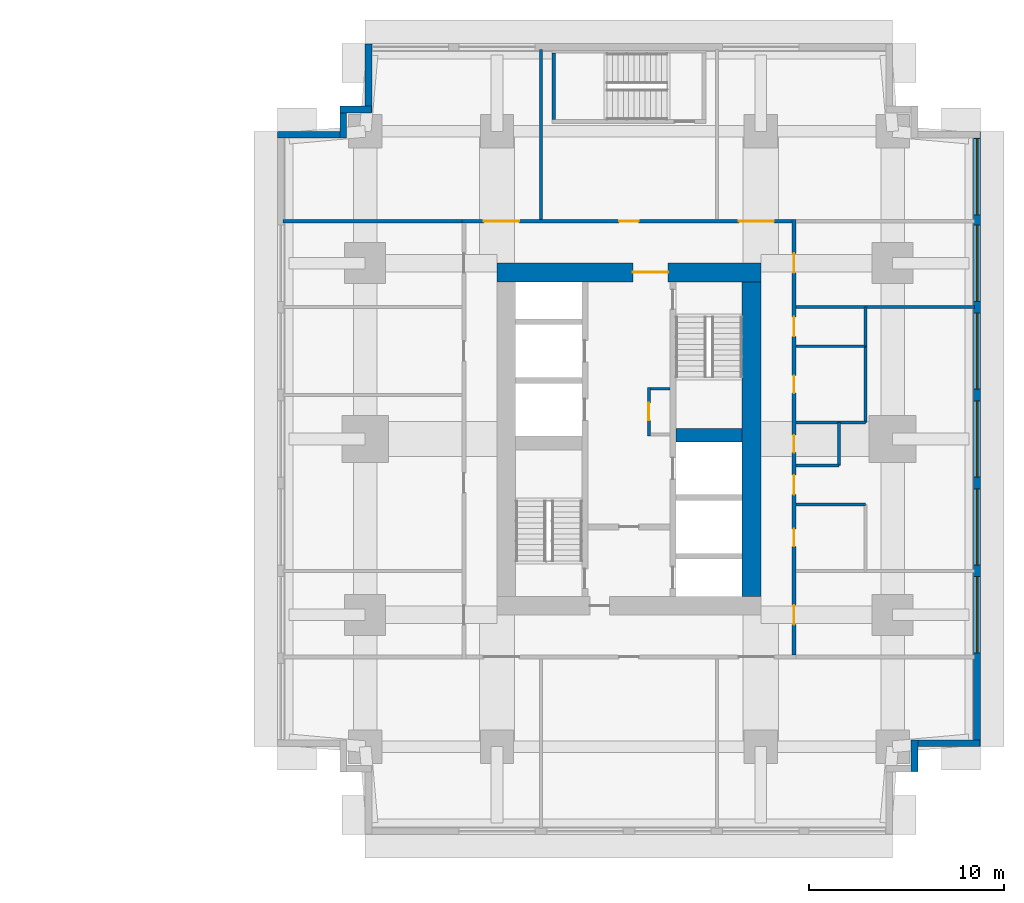
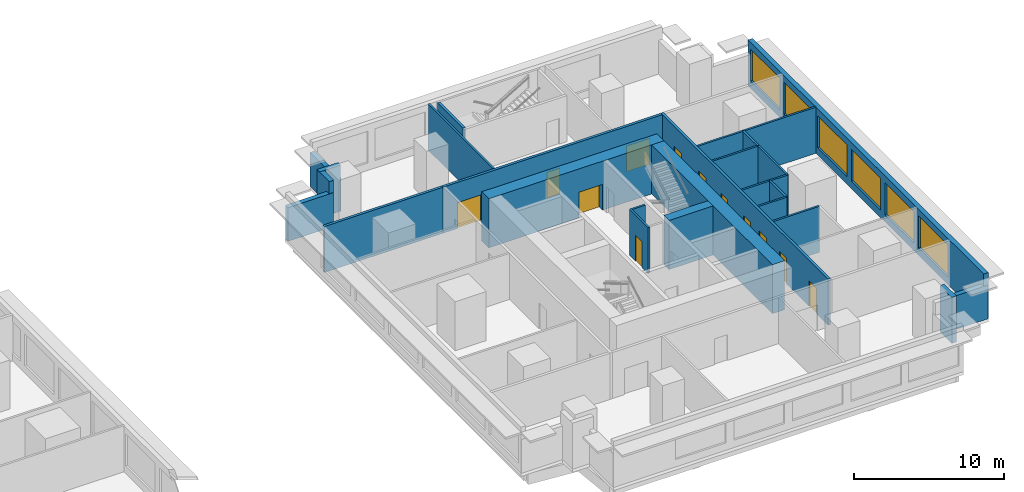
# One storey, part 7 of 11: 25 walls, 12 doors, 6 windows, 18 openings.
"""IFC4 building model written with IfcOpenShell, lengths in metres."""

from ifc_helpers import new_model, si_unit, direction, frame, frame_2d, origin, place, context, subcontext, project, spatial, rectangle, extrude, material, layer, layer_set, type_object, element, fill, save


model = new_model("IFC4")

# Units and contexts
model_context = context("Model", 3, precision=1e-05, world=origin(), true_north=direction((0.0, 1.0)))
body_context = subcontext(model_context, "Body", "Model", "MODEL_VIEW")
ifc_project = project(units=[si_unit("LENGTHUNIT", "METRE"), si_unit("AREAUNIT", "SQUARE_METRE"), si_unit("VOLUMEUNIT", "CUBIC_METRE"), si_unit("PLANEANGLEUNIT", "RADIAN"), si_unit("MASSUNIT", "GRAM", prefix="KILO")], contexts=[model_context])

# Site, building, storey
site_placement = place(None, origin())
site = spatial("IfcSite", under=ifc_project, at=site_placement, CompositionType="ELEMENT")
building_placement = place(site_placement, origin())
building = spatial("IfcBuilding", under=site, at=building_placement, Name="Namib Vertical Campus", CompositionType="ELEMENT")
storey_placement = place(building_placement, frame((0.0, 0.0, 73.0)))
storey = spatial("IfcBuildingStorey", under=building, at=storey_placement, Name="L17", CompositionType="ELEMENT", Elevation=73.0)

# Walls
ifc_material_1 = material(Name="Concrete C60/75", Category="concrete")
ifc_layer_1 = layer(ifc_material_1, 0.699951171875)
ifc_layer_set_1 = layer_set([ifc_layer_1], Name="Concrete C60/75")
wall_type_1 = type_object("IfcWallType", Name="Core shear wall 700", PredefinedType="SHEAR", material=ifc_layer_set_1)
wall_1_placement = place(storey_placement, frame((83.39990234375, 20.449951171875, 0.0), z_axis=(0.0, 0.0, 1.0), x_axis=(1.0, 0.0, 0.0)))
element("IfcWall", 1, at=wall_1_placement, inside=storey, type_object=wall_type_1, Name="Core shear wall B L17 W7", PredefinedType="SHEAR", context=body_context, shape_type="SweptSolid", body=[
    extrude(rectangle(XDim=3.400146484375, YDim=0.699951171875, at=frame_2d((1.7001953125, 0.0))), origin(), (0.0, 0.0, 1.0), 4.0),
])
ifc_material_2 = material(Name="Concrete C60/75", Category="concrete")
ifc_layer_2 = layer(ifc_material_2, 0.949951171875)
ifc_layer_set_2 = layer_set([ifc_layer_2], Name="Concrete C60/75")
wall_type_2 = type_object("IfcWallType", Name="Core wall 950", PredefinedType="SHEAR", material=ifc_layer_set_2)
wall_2_placement = place(storey_placement, frame((87.27490234375, 12.199951171875, 0.0), z_axis=(0.0, 0.0, 1.0), x_axis=(0.0, 1.0, 0.0)))
element("IfcWall", 2, at=wall_2_placement, inside=storey, type_object=wall_type_2, Name="Core wall B L17 2", PredefinedType="SHEAR", context=body_context, shape_type="SweptSolid", body=[
    extrude(rectangle(XDim=16.10009765625, YDim=0.949951171875, at=frame_2d((8.050048828125, 0.0))), origin(), (0.0, 0.0, 1.0), 4.0),
])

# Wall, opening, door
wall_3_placement = place(storey_placement, frame((87.75, 28.77490234375, 0.0), z_axis=(0.0, 0.0, 1.0), x_axis=(-1.0, 0.0, 0.0)))
wall_3 = element("IfcWall", 3, at=wall_3_placement, inside=storey, type_object=wall_type_2, Name="Core wall B L17 3", PredefinedType="SHEAR", context=body_context, shape_type="SweptSolid", body=[
    extrude(rectangle(XDim=13.5, YDim=0.949951171875, at=frame_2d((6.75, 0.0))), origin(), (0.0, 0.0, 1.0), 4.0),
])
opening_1_placement = place(wall_3_placement, frame((4.75, 0.0, 0.0)))
opening_1 = element("IfcOpeningElement", 4, at=opening_1_placement, cuts=wall_3, Name="Opening FD2", PredefinedType="OPENING", context=body_context, shape_type="SweptSolid", body=[
    extrude(rectangle(XDim=1.800048828125, YDim=2.10009765625, at=frame_2d((0.89990234375, 1.050048828125))), frame((0.0, 0.48486328125, 0.0), z_axis=(0.0, -1.0, 0.0), x_axis=(1.0, 0.0, 0.0)), (0.0, 0.0, 1.0), 0.969970703125),
])
ifc_material_3 = material(Name="Steel fire door", Category="steel")
door_type_1 = type_object("IfcDoorType", Name="Fire door double 1800x2100", OperationType="DOUBLE_DOOR_SINGLE_SWING", PredefinedType="DOOR", material=ifc_material_3)
door_1_placement = place(opening_1_placement, origin())
door_1 = element("IfcDoor", 5, at=door_1_placement, inside=storey, type_object=door_type_1, Name="Lift lobby door FD2 B L17", OperationType="DOUBLE_DOOR_SINGLE_SWING", OverallHeight=2.10009765625, OverallWidth=1.800048828125, PredefinedType="DOOR", context=body_context, shape_type="SweptSolid", body=[
    extrude(rectangle(XDim=1.800048828125, YDim=2.10009765625, at=frame_2d((0.89990234375, 1.050048828125))), frame((0.0, 0.02490234375, 0.0), z_axis=(0.0, -1.0, 0.0), x_axis=(1.0, 0.0, 0.0)), (0.0, 0.0, 1.0), 0.050048828125),
])
fill(opening_1, door_1)

# Wall, openings, doors
ifc_material_4 = material(Name="Concrete masonry", Category="masonry")
ifc_layer_3 = layer(ifc_material_4, 0.199951171875)
ifc_layer_set_3 = layer_set([ifc_layer_3], Name="Corridor wall 200")
wall_type_3 = type_object("IfcWallType", Name="Corridor wall 200", PredefinedType="SOLIDWALL", material=ifc_layer_set_3)
wall_4_placement = place(storey_placement, frame((89.449951171875, 9.199951171875, 0.0), z_axis=(0.0, 0.0, 1.0), x_axis=(0.0, 1.0, 0.0)))
wall_4 = element("IfcWall", 6, at=wall_4_placement, inside=storey, type_object=wall_type_3, Name="Corridor wall B L17 CE", PredefinedType="SOLIDWALL", context=body_context, shape_type="SweptSolid", body=[
    extrude(rectangle(XDim=22.300048828125, YDim=0.199951171875, at=frame_2d((11.14990234375, 0.0))), origin(), (0.0, 0.0, 1.0), 3.75),
])
opening_2_placement = place(wall_4_placement, frame((1.550048828125, 0.0, 0.0)))
opening_2 = element("IfcOpeningElement", 7, at=opening_2_placement, cuts=wall_4, Name="Opening CD1", PredefinedType="OPENING", context=body_context, shape_type="SweptSolid", body=[
    extrude(rectangle(XDim=1.0, YDim=2.10009765625, at=frame_2d((0.5, 1.050048828125))), frame((0.0, 0.10986328125, 0.0), z_axis=(0.0, -1.0, 0.0), x_axis=(1.0, 0.0, 0.0)), (0.0, 0.0, 1.0), 0.219970703125),
])
opening_3_placement = place(wall_4_placement, frame((5.550048828125, 0.0, 0.0)))
opening_3 = element("IfcOpeningElement", 8, at=opening_3_placement, cuts=wall_4, Name="Opening CD3", PredefinedType="OPENING", context=body_context, shape_type="SweptSolid", body=[
    extrude(rectangle(XDim=0.89990234375, YDim=2.10009765625, at=frame_2d((0.449951171875, 1.050048828125))), frame((0.0, 0.10986328125, 0.0), z_axis=(0.0, -1.0, 0.0), x_axis=(1.0, 0.0, 0.0)), (0.0, 0.0, 1.0), 0.219970703125),
])
opening_4_placement = place(wall_4_placement, frame((10.35009765625, 0.0, 0.0)))
opening_4 = element("IfcOpeningElement", 9, at=opening_4_placement, cuts=wall_4, Name="Opening CD3", PredefinedType="OPENING", context=body_context, shape_type="SweptSolid", body=[
    extrude(rectangle(XDim=0.89990234375, YDim=2.10009765625, at=frame_2d((0.449951171875, 1.050048828125))), frame((0.0, 0.10986328125, 0.0), z_axis=(0.0, -1.0, 0.0), x_axis=(1.0, 0.0, 0.0)), (0.0, 0.0, 1.0), 0.219970703125),
])
opening_5_placement = place(wall_4_placement, frame((13.39990234375, 0.0, 0.0)))
opening_5 = element("IfcOpeningElement", 10, at=opening_5_placement, cuts=wall_4, Name="Opening CD3", PredefinedType="OPENING", context=body_context, shape_type="SweptSolid", body=[
    extrude(rectangle(XDim=0.89990234375, YDim=2.10009765625, at=frame_2d((0.449951171875, 1.050048828125))), frame((0.0, 0.10986328125, 0.0), z_axis=(0.0, -1.0, 0.0), x_axis=(1.0, 0.0, 0.0)), (0.0, 0.0, 1.0), 0.219970703125),
])
opening_6_placement = place(wall_4_placement, frame((16.300048828125, 0.0, 0.0)))
opening_6 = element("IfcOpeningElement", 11, at=opening_6_placement, cuts=wall_4, Name="Opening CD1", PredefinedType="OPENING", context=body_context, shape_type="SweptSolid", body=[
    extrude(rectangle(XDim=1.0, YDim=2.10009765625, at=frame_2d((0.5, 1.050048828125))), frame((0.0, 0.10986328125, 0.0), z_axis=(0.0, -1.0, 0.0), x_axis=(1.0, 0.0, 0.0)), (0.0, 0.0, 1.0), 0.219970703125),
])
opening_7_placement = place(wall_4_placement, frame((8.199951171875, 0.0, 0.0)))
opening_7 = element("IfcOpeningElement", 12, at=opening_7_placement, cuts=wall_4, Name="Opening CD1", PredefinedType="OPENING", context=body_context, shape_type="SweptSolid", body=[
    extrude(rectangle(XDim=1.0, YDim=2.10009765625, at=frame_2d((0.5, 1.050048828125))), frame((0.0, 0.10986328125, 0.0), z_axis=(0.0, -1.0, 0.0), x_axis=(1.0, 0.0, 0.0)), (0.0, 0.0, 1.0), 0.219970703125),
])
opening_8_placement = place(wall_4_placement, frame((19.550048828125, 0.0, 0.0)))
opening_8 = element("IfcOpeningElement", 13, at=opening_8_placement, cuts=wall_4, Name="Opening CD1", PredefinedType="OPENING", context=body_context, shape_type="SweptSolid", body=[
    extrude(rectangle(XDim=1.0, YDim=2.10009765625, at=frame_2d((0.5, 1.050048828125))), frame((0.0, 0.10986328125, 0.0), z_axis=(0.0, -1.0, 0.0), x_axis=(1.0, 0.0, 0.0)), (0.0, 0.0, 1.0), 0.219970703125),
])
ifc_material_5 = material(Name="Timber fire door leaf", Category="wood")
door_type_2 = type_object("IfcDoorType", Name="Corridor door 1000x2100 20 min", OperationType="SINGLE_SWING_LEFT", PredefinedType="DOOR", material=ifc_material_5)
door_2_placement = place(opening_2_placement, frame((1.0, 0.0, 0.0), z_axis=(0.0, 0.0, 1.0), x_axis=(-1.0, 0.0, 0.0)))
door_2 = element("IfcDoor", 14, at=door_2_placement, inside=storey, type_object=door_type_2, Name="Door CD1 B17-04", OperationType="SINGLE_SWING_RIGHT", OverallHeight=2.10009765625, OverallWidth=1.0, PredefinedType="DOOR", context=body_context, shape_type="SweptSolid", body=[
    extrude(rectangle(XDim=1.0, YDim=2.10009765625, at=frame_2d((0.5, 1.050048828125))), frame((0.0, 0.02490234375, 0.0), z_axis=(0.0, -1.0, 0.0), x_axis=(1.0, 0.0, 0.0)), (0.0, 0.0, 1.0), 0.050048828125),
])
fill(opening_2, door_2)
door_3_placement = place(opening_6_placement, frame((1.0, 0.0, 0.0), z_axis=(0.0, 0.0, 1.0), x_axis=(-1.0, 0.0, 0.0)))
door_3 = element("IfcDoor", 15, at=door_3_placement, inside=storey, type_object=door_type_2, Name="Door CD1 B17-08", OperationType="SINGLE_SWING_RIGHT", OverallHeight=2.10009765625, OverallWidth=1.0, PredefinedType="DOOR", context=body_context, shape_type="SweptSolid", body=[
    extrude(rectangle(XDim=1.0, YDim=2.10009765625, at=frame_2d((0.5, 1.050048828125))), frame((0.0, 0.02490234375, 0.0), z_axis=(0.0, -1.0, 0.0), x_axis=(1.0, 0.0, 0.0)), (0.0, 0.0, 1.0), 0.050048828125),
])
fill(opening_6, door_3)
door_4_placement = place(opening_7_placement, frame((1.0, 0.0, 0.0), z_axis=(0.0, 0.0, 1.0), x_axis=(-1.0, 0.0, 0.0)))
door_4 = element("IfcDoor", 16, at=door_4_placement, inside=storey, type_object=door_type_2, Name="Door CD1 B17-09", OperationType="SINGLE_SWING_RIGHT", OverallHeight=2.10009765625, OverallWidth=1.0, PredefinedType="DOOR", context=body_context, shape_type="SweptSolid", body=[
    extrude(rectangle(XDim=1.0, YDim=2.10009765625, at=frame_2d((0.5, 1.050048828125))), frame((0.0, 0.02490234375, 0.0), z_axis=(0.0, -1.0, 0.0), x_axis=(1.0, 0.0, 0.0)), (0.0, 0.0, 1.0), 0.050048828125),
])
fill(opening_7, door_4)
door_5_placement = place(opening_8_placement, frame((1.0, 0.0, 0.0), z_axis=(0.0, 0.0, 1.0), x_axis=(-1.0, 0.0, 0.0)))
door_5 = element("IfcDoor", 17, at=door_5_placement, inside=storey, type_object=door_type_2, Name="Door CD1 B17-10", OperationType="SINGLE_SWING_RIGHT", OverallHeight=2.10009765625, OverallWidth=1.0, PredefinedType="DOOR", context=body_context, shape_type="SweptSolid", body=[
    extrude(rectangle(XDim=1.0, YDim=2.10009765625, at=frame_2d((0.5, 1.050048828125))), frame((0.0, 0.02490234375, 0.0), z_axis=(0.0, -1.0, 0.0), x_axis=(1.0, 0.0, 0.0)), (0.0, 0.0, 1.0), 0.050048828125),
])
fill(opening_8, door_5)
ifc_material_6 = material(Name="Timber fire door leaf", Category="wood")
door_type_3 = type_object("IfcDoorType", Name="Corridor toilet door 900x2100 20 min", OperationType="SINGLE_SWING_LEFT", PredefinedType="DOOR", material=ifc_material_6)
door_6_placement = place(opening_3_placement, frame((0.89990234375, 0.0, 0.0), z_axis=(0.0, 0.0, 1.0), x_axis=(-1.0, 0.0, 0.0)))
door_6 = element("IfcDoor", 18, at=door_6_placement, inside=storey, type_object=door_type_3, Name="Door CD3 B17-05", OperationType="SINGLE_SWING_RIGHT", OverallHeight=2.10009765625, OverallWidth=0.89990234375, PredefinedType="DOOR", context=body_context, shape_type="SweptSolid", body=[
    extrude(rectangle(XDim=0.89990234375, YDim=2.10009765625, at=frame_2d((0.449951171875, 1.050048828125))), frame((0.0, 0.02490234375, 0.0), z_axis=(0.0, -1.0, 0.0), x_axis=(1.0, 0.0, 0.0)), (0.0, 0.0, 1.0), 0.050048828125),
])
fill(opening_3, door_6)
door_7_placement = place(opening_4_placement, frame((0.89990234375, 0.0, 0.0), z_axis=(0.0, 0.0, 1.0), x_axis=(-1.0, 0.0, 0.0)))
door_7 = element("IfcDoor", 19, at=door_7_placement, inside=storey, type_object=door_type_3, Name="Door CD3 B17-06", OperationType="SINGLE_SWING_RIGHT", OverallHeight=2.10009765625, OverallWidth=0.89990234375, PredefinedType="DOOR", context=body_context, shape_type="SweptSolid", body=[
    extrude(rectangle(XDim=0.89990234375, YDim=2.10009765625, at=frame_2d((0.449951171875, 1.050048828125))), frame((0.0, 0.02490234375, 0.0), z_axis=(0.0, -1.0, 0.0), x_axis=(1.0, 0.0, 0.0)), (0.0, 0.0, 1.0), 0.050048828125),
])
fill(opening_4, door_7)
door_8_placement = place(opening_5_placement, frame((0.89990234375, 0.0, 0.0), z_axis=(0.0, 0.0, 1.0), x_axis=(-1.0, 0.0, 0.0)))
door_8 = element("IfcDoor", 20, at=door_8_placement, inside=storey, type_object=door_type_3, Name="Door CD3 B17-07", OperationType="SINGLE_SWING_RIGHT", OverallHeight=2.10009765625, OverallWidth=0.89990234375, PredefinedType="DOOR", context=body_context, shape_type="SweptSolid", body=[
    extrude(rectangle(XDim=0.89990234375, YDim=2.10009765625, at=frame_2d((0.449951171875, 1.050048828125))), frame((0.0, 0.02490234375, 0.0), z_axis=(0.0, -1.0, 0.0), x_axis=(1.0, 0.0, 0.0)), (0.0, 0.0, 1.0), 0.050048828125),
])
fill(opening_5, door_8)

wall_5_placement = place(storey_placement, frame((89.35009765625, 31.39990234375, 0.0), z_axis=(0.0, 0.0, 1.0), x_axis=(-1.0, 0.0, 0.0)))
wall_5 = element("IfcWall", 21, at=wall_5_placement, inside=storey, type_object=wall_type_3, Name="Corridor wall B L17 CN", PredefinedType="SOLIDWALL", context=body_context, shape_type="SweptSolid", body=[
    extrude(rectangle(XDim=16.900146484375, YDim=0.199951171875, at=frame_2d((8.4501953125, 0.0))), origin(), (0.0, 0.0, 1.0), 3.75),
])
opening_9_placement = place(wall_5_placement, frame((13.97509765625, 0.0, 0.0)))
opening_9 = element("IfcOpeningElement", 22, at=opening_9_placement, cuts=wall_5, Name="Opening CD2", PredefinedType="OPENING", context=body_context, shape_type="SweptSolid", body=[
    extrude(rectangle(XDim=1.800048828125, YDim=2.10009765625, at=frame_2d((0.89990234375, 1.050048828125))), frame((0.0, 0.10986328125, 0.0), z_axis=(0.0, -1.0, 0.0), x_axis=(1.0, 0.0, 0.0)), (0.0, 0.0, 1.0), 0.219970703125),
])
opening_10_placement = place(wall_5_placement, frame((7.85009765625, 0.0, 0.0)))
opening_10 = element("IfcOpeningElement", 23, at=opening_10_placement, cuts=wall_5, Name="Opening CD1", PredefinedType="OPENING", context=body_context, shape_type="SweptSolid", body=[
    extrude(rectangle(XDim=1.0, YDim=2.10009765625, at=frame_2d((0.5, 1.050048828125))), frame((0.0, 0.10986328125, 0.0), z_axis=(0.0, -1.0, 0.0), x_axis=(1.0, 0.0, 0.0)), (0.0, 0.0, 1.0), 0.219970703125),
])
opening_11_placement = place(wall_5_placement, frame((0.925048828125, 0.0, 0.0)))
opening_11 = element("IfcOpeningElement", 24, at=opening_11_placement, cuts=wall_5, Name="Opening CD2", PredefinedType="OPENING", context=body_context, shape_type="SweptSolid", body=[
    extrude(rectangle(XDim=1.800048828125, YDim=2.10009765625, at=frame_2d((0.89990234375, 1.050048828125))), frame((0.0, 0.10986328125, 0.0), z_axis=(0.0, -1.0, 0.0), x_axis=(1.0, 0.0, 0.0)), (0.0, 0.0, 1.0), 0.219970703125),
])
door_9_placement = place(opening_10_placement, frame((1.0, 0.0, 0.0), z_axis=(0.0, 0.0, 1.0), x_axis=(-1.0, 0.0, 0.0)))
door_9 = element("IfcDoor", 25, at=door_9_placement, inside=storey, type_object=door_type_2, Name="Door CD1 B17-12", OperationType="SINGLE_SWING_RIGHT", OverallHeight=2.10009765625, OverallWidth=1.0, PredefinedType="DOOR", context=body_context, shape_type="SweptSolid", body=[
    extrude(rectangle(XDim=1.0, YDim=2.10009765625, at=frame_2d((0.5, 1.050048828125))), frame((0.0, 0.02490234375, 0.0), z_axis=(0.0, -1.0, 0.0), x_axis=(1.0, 0.0, 0.0)), (0.0, 0.0, 1.0), 0.050048828125),
])
fill(opening_10, door_9)
ifc_material_7 = material(Name="Timber fire door leaf", Category="wood")
door_type_4 = type_object("IfcDoorType", Name="Corridor door double 1800x2100 20 min", OperationType="DOUBLE_DOOR_SINGLE_SWING", PredefinedType="DOOR", material=ifc_material_7)
door_10_placement = place(opening_9_placement, frame((1.800048828125, 0.0, 0.0), z_axis=(0.0, 0.0, 1.0), x_axis=(-1.0, 0.0, 0.0)))
door_10 = element("IfcDoor", 26, at=door_10_placement, inside=storey, type_object=door_type_4, Name="Door CD2 B17-11", OperationType="DOUBLE_DOOR_SINGLE_SWING", OverallHeight=2.10009765625, OverallWidth=1.800048828125, PredefinedType="DOOR", context=body_context, shape_type="SweptSolid", body=[
    extrude(rectangle(XDim=1.800048828125, YDim=2.10009765625, at=frame_2d((0.89990234375, 1.050048828125))), frame((0.0, 0.02490234375, 0.0), z_axis=(0.0, -1.0, 0.0), x_axis=(1.0, 0.0, 0.0)), (0.0, 0.0, 1.0), 0.050048828125),
])
fill(opening_9, door_10)
door_11_placement = place(opening_11_placement, frame((1.800048828125, 0.0, 0.0), z_axis=(0.0, 0.0, 1.0), x_axis=(-1.0, 0.0, 0.0)))
door_11 = element("IfcDoor", 27, at=door_11_placement, inside=storey, type_object=door_type_4, Name="Door CD2 B17-13", OperationType="DOUBLE_DOOR_SINGLE_SWING", OverallHeight=2.10009765625, OverallWidth=1.800048828125, PredefinedType="DOOR", context=body_context, shape_type="SweptSolid", body=[
    extrude(rectangle(XDim=1.800048828125, YDim=2.10009765625, at=frame_2d((0.89990234375, 1.050048828125))), frame((0.0, 0.02490234375, 0.0), z_axis=(0.0, -1.0, 0.0), x_axis=(1.0, 0.0, 0.0)), (0.0, 0.0, 1.0), 0.050048828125),
])
fill(opening_11, door_11)

# Walls
wall_6_placement = place(storey_placement, frame((63.300048828125, 31.39990234375, 0.0), z_axis=(0.0, 0.0, 1.0), x_axis=(1.0, 0.0, 0.0)))
element("IfcWall", 28, at=wall_6_placement, inside=storey, type_object=wall_type_3, Name="Partition B L17 BNW", PredefinedType="SOLIDWALL", context=body_context, shape_type="SweptSolid", body=[
    extrude(rectangle(XDim=9.14990234375, YDim=0.199951171875, at=frame_2d((4.574951171875, 0.0))), origin(), (0.0, 0.0, 1.0), 3.75),
])
ifc_material_8 = material(Name="Concrete C40/50", Category="concrete")
ifc_layer_4 = layer(ifc_material_8, 0.35009765625)
ifc_layer_set_4 = layer_set([ifc_layer_4], Name="Concrete C40/50")
wall_type_4 = type_object("IfcWallType", Name="External wall 350 bush-hammered concrete", PredefinedType="STANDARD", material=ifc_layer_set_4)
wall_7_placement = place(storey_placement, frame((95.625, 3.219970703125, 0.0), z_axis=(0.0, 0.0, 1.0), x_axis=(0.0, 1.0, 0.0)))
element("IfcWall", 29, at=wall_7_placement, inside=storey, type_object=wall_type_4, Name="External wall L17 F04", PredefinedType="STANDARD", context=body_context, shape_type="SweptSolid", body=[
    extrude(rectangle(XDim=1.610107421875, YDim=0.35009765625, at=frame_2d((0.80517578125, 0.0))), origin(), (0.0, 0.0, 1.0), 3.75),
])
wall_8_placement = place(storey_placement, frame((95.469970703125, 4.675048828125, 0.0), z_axis=(0.0, 0.0, 1.0), x_axis=(1.0, 0.0, 0.0)))
element("IfcWall", 30, at=wall_8_placement, inside=storey, type_object=wall_type_4, Name="External wall L17 F05", PredefinedType="STANDARD", context=body_context, shape_type="SweptSolid", body=[
    extrude(rectangle(XDim=3.510009765625, YDim=0.35009765625, at=frame_2d((1.7548828125, 0.0))), origin(), (0.0, 0.0, 1.0), 2.75),
])

# Wall, openings, windows
wall_9_placement = place(storey_placement, frame((98.824951171875, 4.52001953125, 0.0), z_axis=(0.0, 0.0, 1.0), x_axis=(0.0, 1.0, 0.0)))
wall_9 = element("IfcWall", 31, at=wall_9_placement, inside=storey, type_object=wall_type_4, Name="External wall L17 F06", PredefinedType="STANDARD", context=body_context, shape_type="SweptSolid", body=[
    extrude(rectangle(XDim=31.4599609375, YDim=0.35009765625, at=frame_2d((15.72998046875, 0.0))), origin(), (0.0, 0.0, 1.0), 3.75),
])
opening_12_placement = place(wall_9_placement, frame((4.780029296875, 0.0, 0.60009765625)))
opening_12 = element("IfcOpeningElement", 32, at=opening_12_placement, cuts=wall_9, Name="Opening W2", PredefinedType="OPENING", context=body_context, shape_type="SweptSolid", body=[
    extrude(rectangle(XDim=3.89990234375, YDim=2.60009765625, at=frame_2d((1.949951171875, 1.300048828125))), frame((0.0, 0.18505859375, 0.0), z_axis=(0.0, -1.0, 0.0), x_axis=(1.0, 0.0, 0.0)), (0.0, 0.0, 1.0), 0.3701171875),
])
opening_13_placement = place(wall_9_placement, frame((9.280029296875, 0.0, 0.60009765625)))
opening_13 = element("IfcOpeningElement", 33, at=opening_13_placement, cuts=wall_9, Name="Opening W2", PredefinedType="OPENING", context=body_context, shape_type="SweptSolid", body=[
    extrude(rectangle(XDim=3.89990234375, YDim=2.60009765625, at=frame_2d((1.949951171875, 1.300048828125))), frame((0.0, 0.18505859375, 0.0), z_axis=(0.0, -1.0, 0.0), x_axis=(1.0, 0.0, 0.0)), (0.0, 0.0, 1.0), 0.3701171875),
])
opening_14_placement = place(wall_9_placement, frame((13.780029296875, 0.0, 0.60009765625)))
opening_14 = element("IfcOpeningElement", 34, at=opening_14_placement, cuts=wall_9, Name="Opening W2", PredefinedType="OPENING", context=body_context, shape_type="SweptSolid", body=[
    extrude(rectangle(XDim=3.89990234375, YDim=2.60009765625, at=frame_2d((1.949951171875, 1.300048828125))), frame((0.0, 0.18505859375, 0.0), z_axis=(0.0, -1.0, 0.0), x_axis=(1.0, 0.0, 0.0)), (0.0, 0.0, 1.0), 0.3701171875),
])
opening_15_placement = place(wall_9_placement, frame((18.280029296875, 0.0, 0.60009765625)))
opening_15 = element("IfcOpeningElement", 35, at=opening_15_placement, cuts=wall_9, Name="Opening W2", PredefinedType="OPENING", context=body_context, shape_type="SweptSolid", body=[
    extrude(rectangle(XDim=3.89990234375, YDim=2.60009765625, at=frame_2d((1.949951171875, 1.300048828125))), frame((0.0, 0.18505859375, 0.0), z_axis=(0.0, -1.0, 0.0), x_axis=(1.0, 0.0, 0.0)), (0.0, 0.0, 1.0), 0.3701171875),
])
opening_16_placement = place(wall_9_placement, frame((22.780029296875, 0.0, 0.60009765625)))
opening_16 = element("IfcOpeningElement", 36, at=opening_16_placement, cuts=wall_9, Name="Opening W2", PredefinedType="OPENING", context=body_context, shape_type="SweptSolid", body=[
    extrude(rectangle(XDim=3.89990234375, YDim=2.60009765625, at=frame_2d((1.949951171875, 1.300048828125))), frame((0.0, 0.18505859375, 0.0), z_axis=(0.0, -1.0, 0.0), x_axis=(1.0, 0.0, 0.0)), (0.0, 0.0, 1.0), 0.3701171875),
])
opening_17_placement = place(wall_9_placement, frame((27.2099609375, 0.0, 0.60009765625)))
opening_17 = element("IfcOpeningElement", 37, at=opening_17_placement, cuts=wall_9, Name="Opening W2", PredefinedType="OPENING", context=body_context, shape_type="SweptSolid", body=[
    extrude(rectangle(XDim=3.89990234375, YDim=2.60009765625, at=frame_2d((1.949951171875, 1.300048828125))), frame((0.0, 0.18505859375, 0.0), z_axis=(0.0, -1.0, 0.0), x_axis=(1.0, 0.0, 0.0)), (0.0, 0.0, 1.0), 0.3701171875),
])
ifc_material_9 = material(Name="Dark tinted glass in black aluminium frame", Category="aluminium")
window_type = type_object("IfcWindowType", Name="Ribbon window 3900x2600", PartitioningType="SINGLE_PANEL", PredefinedType="WINDOW", material=ifc_material_9)
window_1_placement = place(opening_12_placement, origin())
window_1 = element("IfcWindow", 38, at=window_1_placement, inside=storey, type_object=window_type, Name="Window W2 L17 F06-2", OverallHeight=2.60009765625, OverallWidth=3.89990234375, PartitioningType="SINGLE_PANEL", PredefinedType="WINDOW", context=body_context, shape_type="SweptSolid", body=[
    extrude(rectangle(XDim=3.89990234375, YDim=2.60009765625, at=frame_2d((1.949951171875, 1.300048828125))), frame((0.0, 0.030029296875, 0.0), z_axis=(0.0, -1.0, 0.0), x_axis=(1.0, 0.0, 0.0)), (0.0, 0.0, 1.0), 0.06005859375),
])
fill(opening_12, window_1)
window_2_placement = place(opening_13_placement, origin())
window_2 = element("IfcWindow", 39, at=window_2_placement, inside=storey, type_object=window_type, Name="Window W2 L17 F06-3", OverallHeight=2.60009765625, OverallWidth=3.89990234375, PartitioningType="SINGLE_PANEL", PredefinedType="WINDOW", context=body_context, shape_type="SweptSolid", body=[
    extrude(rectangle(XDim=3.89990234375, YDim=2.60009765625, at=frame_2d((1.949951171875, 1.300048828125))), frame((0.0, 0.030029296875, 0.0), z_axis=(0.0, -1.0, 0.0), x_axis=(1.0, 0.0, 0.0)), (0.0, 0.0, 1.0), 0.06005859375),
])
fill(opening_13, window_2)
window_3_placement = place(opening_14_placement, origin())
window_3 = element("IfcWindow", 40, at=window_3_placement, inside=storey, type_object=window_type, Name="Window W2 L17 F06-4", OverallHeight=2.60009765625, OverallWidth=3.89990234375, PartitioningType="SINGLE_PANEL", PredefinedType="WINDOW", context=body_context, shape_type="SweptSolid", body=[
    extrude(rectangle(XDim=3.89990234375, YDim=2.60009765625, at=frame_2d((1.949951171875, 1.300048828125))), frame((0.0, 0.030029296875, 0.0), z_axis=(0.0, -1.0, 0.0), x_axis=(1.0, 0.0, 0.0)), (0.0, 0.0, 1.0), 0.06005859375),
])
fill(opening_14, window_3)
window_4_placement = place(opening_15_placement, origin())
window_4 = element("IfcWindow", 41, at=window_4_placement, inside=storey, type_object=window_type, Name="Window W2 L17 F06-5", OverallHeight=2.60009765625, OverallWidth=3.89990234375, PartitioningType="SINGLE_PANEL", PredefinedType="WINDOW", context=body_context, shape_type="SweptSolid", body=[
    extrude(rectangle(XDim=3.89990234375, YDim=2.60009765625, at=frame_2d((1.949951171875, 1.300048828125))), frame((0.0, 0.030029296875, 0.0), z_axis=(0.0, -1.0, 0.0), x_axis=(1.0, 0.0, 0.0)), (0.0, 0.0, 1.0), 0.06005859375),
])
fill(opening_15, window_4)
window_5_placement = place(opening_16_placement, origin())
window_5 = element("IfcWindow", 42, at=window_5_placement, inside=storey, type_object=window_type, Name="Window W2 L17 F06-6", OverallHeight=2.60009765625, OverallWidth=3.89990234375, PartitioningType="SINGLE_PANEL", PredefinedType="WINDOW", context=body_context, shape_type="SweptSolid", body=[
    extrude(rectangle(XDim=3.89990234375, YDim=2.60009765625, at=frame_2d((1.949951171875, 1.300048828125))), frame((0.0, 0.030029296875, 0.0), z_axis=(0.0, -1.0, 0.0), x_axis=(1.0, 0.0, 0.0)), (0.0, 0.0, 1.0), 0.06005859375),
])
fill(opening_16, window_5)
window_6_placement = place(opening_17_placement, origin())
window_6 = element("IfcWindow", 43, at=window_6_placement, inside=storey, type_object=window_type, Name="Window W2 L17 F06-7", OverallHeight=2.60009765625, OverallWidth=3.89990234375, PartitioningType="SINGLE_PANEL", PredefinedType="WINDOW", context=body_context, shape_type="SweptSolid", body=[
    extrude(rectangle(XDim=3.89990234375, YDim=2.60009765625, at=frame_2d((1.949951171875, 1.300048828125))), frame((0.0, 0.030029296875, 0.0), z_axis=(0.0, -1.0, 0.0), x_axis=(1.0, 0.0, 0.0)), (0.0, 0.0, 1.0), 0.06005859375),
])
fill(opening_17, window_6)

# Walls
wall_10_placement = place(storey_placement, frame((67.675048828125, 40.47998046875, 0.0), z_axis=(0.0, 0.0, 1.0), x_axis=(0.0, -1.0, 0.0)))
element("IfcWall", 44, at=wall_10_placement, inside=storey, type_object=wall_type_4, Name="External wall L17 F12", PredefinedType="STANDARD", context=body_context, shape_type="SweptSolid", body=[
    extrude(rectangle(XDim=3.510009765625, YDim=0.35009765625, at=frame_2d((1.7548828125, 0.0))), origin(), (0.0, 0.0, 1.0), 2.75),
])
for number, where, z_axis, x_axis, name in (
    (45, (67.830078125, 37.125, 0.0), (0.0, 0.0, 1.0), (-1.0, 0.0, 0.0), "External wall L17 F13"),
    (46, (66.375, 37.280029296875, 0.0), (0.0, 0.0, 1.0), (0.0, -1.0, 0.0), "External wall L17 F14"),
):
    element("IfcWall", number, at=place(storey_placement, frame(where, z_axis=z_axis, x_axis=x_axis)), inside=storey, type_object=wall_type_4, Name=name, PredefinedType="STANDARD", context=body_context, shape_type="SweptSolid", body=[
        extrude(rectangle(XDim=1.610107421875, YDim=0.35009765625, at=frame_2d((0.80517578125, 0.0))), origin(), (0.0, 0.0, 1.0), 3.75),
    ])
wall_11_placement = place(storey_placement, frame((66.530029296875, 35.824951171875, 0.0), z_axis=(0.0, 0.0, 1.0), x_axis=(-1.0, 0.0, 0.0)))
element("IfcWall", 47, at=wall_11_placement, inside=storey, type_object=wall_type_4, Name="External wall L17 F15", PredefinedType="STANDARD", context=body_context, shape_type="SweptSolid", body=[
    extrude(rectangle(XDim=3.510009765625, YDim=0.35009765625, at=frame_2d((1.7548828125, 0.0))), origin(), (0.0, 0.0, 1.0), 2.75),
])

# Wall, opening, door
ifc_material_10 = material(Name="Gypsum board on steel studs", Category="steel")
ifc_layer_5 = layer(ifc_material_10, 0.14990234375)
ifc_layer_set_5 = layer_set([ifc_layer_5], Name="Gypsum board on steel studs")
wall_type_5 = type_object("IfcWallType", Name="Partition 150", PredefinedType="PARTITIONING", material=ifc_layer_set_5)
wall_12_placement = place(storey_placement, frame((82.02490234375, 20.39990234375, 0.0), z_axis=(0.0, 0.0, 1.0), x_axis=(0.0, 1.0, 0.0)))
wall_12 = element("IfcWall", 48, at=wall_12_placement, inside=storey, type_object=wall_type_5, Name="Partition B L17 Cleaners' store front", PredefinedType="PARTITIONING", context=body_context, shape_type="SweptSolid", body=[
    extrude(rectangle(XDim=2.5, YDim=0.14990234375, at=frame_2d((1.25, 0.0))), origin(), (0.0, 0.0, 1.0), 3.75),
])
opening_18_placement = place(wall_12_placement, frame((0.800048828125, 0.0, 0.0)))
opening_18 = element("IfcOpeningElement", 49, at=opening_18_placement, cuts=wall_12, Name="Opening D3", PredefinedType="OPENING", context=body_context, shape_type="SweptSolid", body=[
    extrude(rectangle(XDim=0.89990234375, YDim=2.10009765625, at=frame_2d((0.449951171875, 1.050048828125))), frame((0.0, 0.0849609375, 0.0), z_axis=(0.0, -1.0, 0.0), x_axis=(1.0, 0.0, 0.0)), (0.0, 0.0, 1.0), 0.169921875),
])
ifc_material_11 = material(Name="Timber door leaf", Category="wood")
door_type_5 = type_object("IfcDoorType", Name="Toilet door 900x2100", OperationType="SINGLE_SWING_LEFT", PredefinedType="DOOR", material=ifc_material_11)
door_12_placement = place(opening_18_placement, frame((0.89990234375, 0.0, 0.0), z_axis=(0.0, 0.0, 1.0), x_axis=(-1.0, 0.0, 0.0)))
door_12 = element("IfcDoor", 50, at=door_12_placement, inside=storey, type_object=door_type_5, Name="Door D3 Cleaners' store B L17", OperationType="SINGLE_SWING_RIGHT", OverallHeight=2.10009765625, OverallWidth=0.89990234375, PredefinedType="DOOR", context=body_context, shape_type="SweptSolid", body=[
    extrude(rectangle(XDim=0.89990234375, YDim=2.10009765625, at=frame_2d((0.449951171875, 1.050048828125))), frame((0.0, 0.02490234375, 0.0), z_axis=(0.0, -1.0, 0.0), x_axis=(1.0, 0.0, 0.0)), (0.0, 0.0, 1.0), 0.050048828125),
])
fill(opening_18, door_12)

# Walls
wall_13_placement = place(storey_placement, frame((82.10009765625, 22.824951171875, 0.0), z_axis=(0.0, 0.0, 1.0), x_axis=(1.0, 0.0, 0.0)))
element("IfcWall", 51, at=wall_13_placement, inside=storey, type_object=wall_type_5, Name="Partition B L17 Cleaners' store end 2", PredefinedType="PARTITIONING", context=body_context, shape_type="SweptSolid", body=[
    extrude(rectangle(XDim=1.0, YDim=0.14990234375, at=frame_2d((0.5, 0.0))), origin(), (0.0, 0.0, 1.0), 3.75),
])
wall_14_placement = place(storey_placement, frame((76.5, 31.5, 0.0), z_axis=(0.0, 0.0, 1.0), x_axis=(0.0, 1.0, 0.0)))
element("IfcWall", 52, at=wall_14_placement, inside=storey, type_object=wall_type_5, Name="Partition B L17 PN1", PredefinedType="PARTITIONING", context=body_context, shape_type="SweptSolid", body=[
    extrude(rectangle(XDim=8.699951171875, YDim=0.14990234375, at=frame_2d((4.35009765625, 0.0))), origin(), (0.0, 0.0, 1.0), 3.75),
])
wall_15_placement = place(storey_placement, frame((89.550048828125, 27.0, 0.0), z_axis=(0.0, 0.0, 1.0), x_axis=(1.0, 0.0, 0.0)))
element("IfcWall", 53, at=wall_15_placement, inside=storey, type_object=wall_type_5, Name="Partition B L17 PE2", PredefinedType="PARTITIONING", context=body_context, shape_type="SweptSolid", body=[
    extrude(rectangle(XDim=9.14990234375, YDim=0.14990234375, at=frame_2d((4.574951171875, 0.0))), origin(), (0.0, 0.0, 1.0), 3.75),
])
wall_16_placement = place(storey_placement, frame((89.550048828125, 16.89990234375, 0.0), z_axis=(0.0, 0.0, 1.0), x_axis=(1.0, 0.0, 0.0)))
element("IfcWall", 54, at=wall_16_placement, inside=storey, type_object=wall_type_5, Name="Partition B L17 WR1", PredefinedType="PARTITIONING", context=body_context, shape_type="SweptSolid", body=[
    extrude(rectangle(XDim=3.550048828125, YDim=0.14990234375, at=frame_2d((1.77490234375, 0.0))), origin(), (0.0, 0.0, 1.0), 3.75),
])
wall_17_placement = place(storey_placement, frame((89.550048828125, 18.89990234375, 0.0), z_axis=(0.0, 0.0, 1.0), x_axis=(1.0, 0.0, 0.0)))
element("IfcWall", 55, at=wall_17_placement, inside=storey, type_object=wall_type_5, Name="Partition B L17 WR2", PredefinedType="PARTITIONING", context=body_context, shape_type="SweptSolid", body=[
    extrude(rectangle(XDim=2.199951171875, YDim=0.14990234375, at=frame_2d((1.10009765625, 0.0))), origin(), (0.0, 0.0, 1.0), 3.75),
])
for number, where, z_axis, x_axis, name in (
    (56, (89.550048828125, 21.10009765625, 0.0), (0.0, 0.0, 1.0), (1.0, 0.0, 0.0), "Partition B L17 WR3"),
    (57, (89.550048828125, 25.0, 0.0), (0.0, 0.0, 1.0), (1.0, 0.0, 0.0), "Partition B L17 WR4"),
):
    element("IfcWall", number, at=place(storey_placement, frame(where, z_axis=z_axis, x_axis=x_axis)), inside=storey, type_object=wall_type_5, Name=name, PredefinedType="PARTITIONING", context=body_context, shape_type="SweptSolid", body=[
        extrude(rectangle(XDim=3.550048828125, YDim=0.14990234375, at=frame_2d((1.77490234375, 0.0))), origin(), (0.0, 0.0, 1.0), 3.75),
    ])
wall_18_placement = place(storey_placement, frame((91.75, 18.89990234375, 0.0), z_axis=(0.0, 0.0, 1.0), x_axis=(0.0, 1.0, 0.0)))
element("IfcWall", 58, at=wall_18_placement, inside=storey, type_object=wall_type_5, Name="Partition B L17 WB2", PredefinedType="PARTITIONING", context=body_context, shape_type="SweptSolid", body=[
    extrude(rectangle(XDim=2.2001953125, YDim=0.14990234375, at=frame_2d((1.10009765625, 0.0))), origin(), (0.0, 0.0, 1.0), 3.75),
])
wall_19_placement = place(storey_placement, frame((93.10009765625, 21.10009765625, 0.0), z_axis=(0.0, 0.0, 1.0), x_axis=(0.0, 1.0, 0.0)))
element("IfcWall", 59, at=wall_19_placement, inside=storey, type_object=wall_type_5, Name="Partition B L17 WB3", PredefinedType="PARTITIONING", context=body_context, shape_type="SweptSolid", body=[
    extrude(rectangle(XDim=3.89990234375, YDim=0.14990234375, at=frame_2d((1.949951171875, 0.0))), origin(), (0.0, 0.0, 1.0), 3.75),
])
wall_20_placement = place(storey_placement, frame((93.10009765625, 25.0, 0.0), z_axis=(0.0, 0.0, 1.0), x_axis=(0.0, 1.0, 0.0)))
element("IfcWall", 60, at=wall_20_placement, inside=storey, type_object=wall_type_5, Name="Partition B L17 WB4", PredefinedType="PARTITIONING", context=body_context, shape_type="SweptSolid", body=[
    extrude(rectangle(XDim=2.0, YDim=0.14990234375, at=frame_2d((1.0, 0.0))), origin(), (0.0, 0.0, 1.0), 3.75),
])
ifc_material_12 = material(Name="Concrete C40/50", Category="concrete")
ifc_layer_6 = layer(ifc_material_12, 0.199951171875)
ifc_layer_set_6 = layer_set([ifc_layer_6], Name="Concrete C40/50")
wall_type_6 = type_object("IfcWallType", Name="Stair enclosure wall RC 200", PredefinedType="SOLIDWALL", material=ifc_layer_set_6)
wall_21_placement = place(storey_placement, frame((77.14990234375, 36.60009765625, 0.0), z_axis=(0.0, 0.0, 1.0), x_axis=(0.0, 1.0, 0.0)))
element("IfcWall", 61, at=wall_21_placement, inside=storey, type_object=wall_type_6, Name="Stair enclosure wall B-S3 L17 W", PredefinedType="SOLIDWALL", context=body_context, shape_type="SweptSolid", body=[
    extrude(rectangle(XDim=3.39990234375, YDim=0.199951171875, at=frame_2d((1.699951171875, 0.0))), origin(), (0.0, 0.0, 1.0), 3.75),
])

save(model, "model.ifc")
